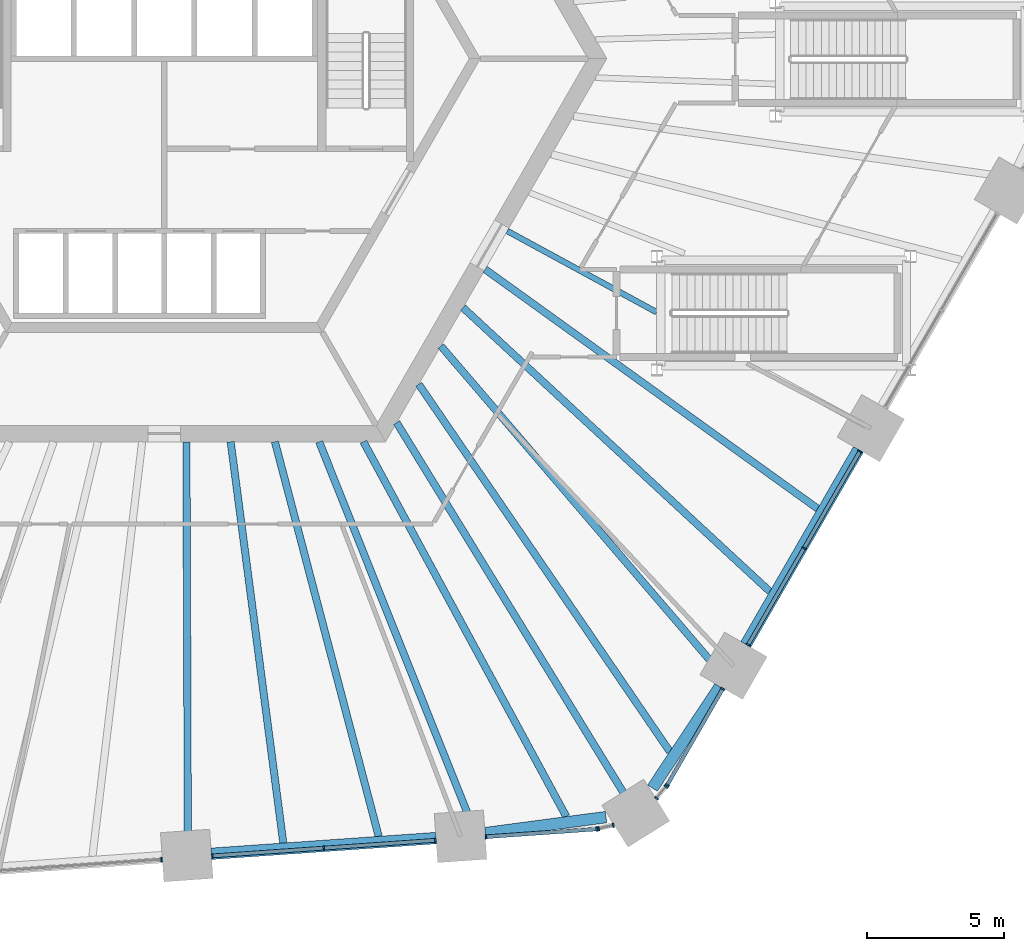
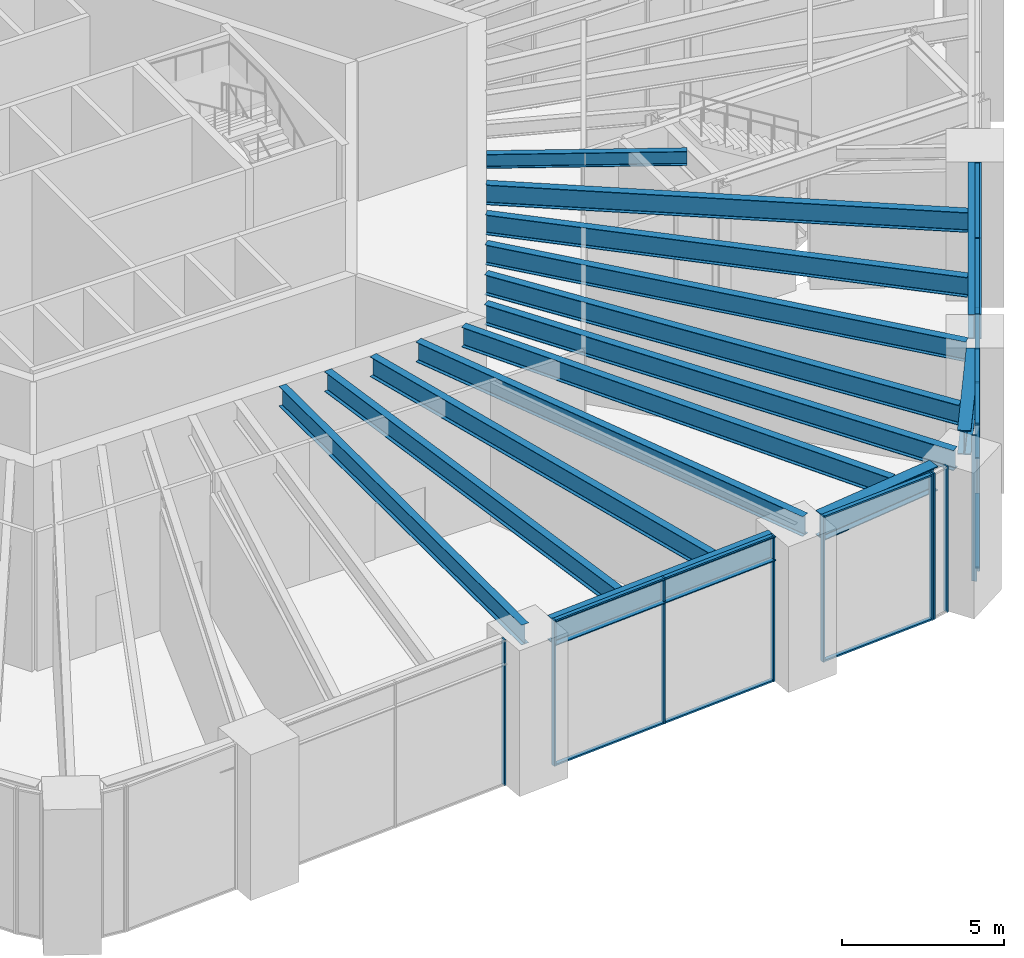
# One storey, part 5 of 30: 27 members, 15 beams, 7 elements without a shape of their own.
"""IFC4 building model written with IfcOpenShell, lengths in metres."""

from ifc_helpers import new_model, si_unit, direction, frame, origin, origin_2d, place, context, subcontext, project, spatial, rectangle, i_section, extrude, material, material_profile, profile_set, type_object, element, aggregate, save


model = new_model("IFC4")

# Units and contexts
model_context = context("Model", 3, precision=1e-05, world=origin(), true_north=direction((0.0, 1.0)))
body_context = subcontext(model_context, "Body", "Model", "MODEL_VIEW")
ifc_project = project(units=[si_unit("LENGTHUNIT", "METRE"), si_unit("AREAUNIT", "SQUARE_METRE"), si_unit("VOLUMEUNIT", "CUBIC_METRE"), si_unit("PLANEANGLEUNIT", "RADIAN"), si_unit("MASSUNIT", "GRAM", prefix="KILO")], contexts=[model_context])

# Site, building, storey
site_placement = place(None, origin())
site = spatial("IfcSite", under=ifc_project, at=site_placement, CompositionType="ELEMENT")
building_placement = place(site_placement, origin())
building = spatial("IfcBuilding", under=site, at=building_placement, Name="Tarnside Tower", CompositionType="ELEMENT")
storey_placement = place(building_placement, frame((0.0, 0.0, 20.5)))
storey = spatial("IfcBuildingStorey", under=building, at=storey_placement, Name="L03", CompositionType="ELEMENT", Elevation=20.5)

# Beams
ifc_material_1 = material(Name="Steel S355", Category="steel")
ifc_material_profile_1 = material_profile(ifc_material_1, i_section(OverallWidth=0.209228515625, OverallDepth=0.533203125, WebThickness=0.010009765625, FlangeThickness=0.015625, FilletRadius=0.0126953125, at=origin_2d()), Name="UB 533x210x92")
ifc_profile_set_1 = profile_set([ifc_material_profile_1], Name="Steel S355")
beam_type_1 = type_object("IfcBeamType", Name="Floor beam UB 533x210x92", PredefinedType="BEAM", material=ifc_profile_set_1)
beam_1_placement = place(storey_placement, frame((17.982421875, -9.26513671875, 4.9833984375), z_axis=(-0.878554552905, 0.477642018221, 0.0), x_axis=(-0.477642018221, -0.878554552905, 0.0)))
element("IfcBeam", 1, at=beam_1_placement, inside=storey, type_object=beam_type_1, Name="Floor beam F5.05b", PredefinedType="BEAM", context=body_context, shape_type="SweptSolid", body=[
    extrude(i_section(OverallWidth=0.209228515625, OverallDepth=0.533203125, WebThickness=0.010009765625, FlangeThickness=0.015625, FilletRadius=0.0126953125, at=origin_2d()), origin(), (0.0, 0.0, 1.0), 6.207763671875),
])
ifc_material_profile_2 = material_profile(ifc_material_1, i_section(OverallWidth=0.26513671875, OverallDepth=0.75390625, WebThickness=0.0126953125, FlangeThickness=0.017578125, FilletRadius=0.0166015625, at=origin_2d()), Name="UB 762x267x147")
ifc_profile_set_2 = profile_set([ifc_material_profile_2], Name="Steel S355")
beam_type_2 = type_object("IfcBeamType", Name="Floor beam UB 762x267x147", PredefinedType="BEAM", material=ifc_profile_set_2)
beam_2_placement = place(storey_placement, frame((0.8623046875, -28.89990234375, 4.873046875), z_axis=(-0.003621146175, 0.999993443629, 0.0), x_axis=(-0.999993443629, -0.003621146175, 0.0)))
element("IfcBeam", 2, at=beam_2_placement, inside=storey, type_object=beam_type_2, Name="Floor beam F4.05", PredefinedType="BEAM", context=body_context, shape_type="SweptSolid", body=[
    extrude(i_section(OverallWidth=0.26513671875, OverallDepth=0.75390625, WebThickness=0.0126953125, FlangeThickness=0.017578125, FilletRadius=0.0166015625, at=origin_2d()), origin(), (0.0, 0.0, 1.0), 14.89990234375),
])
beam_3_placement = place(storey_placement, frame((4.34765625, -28.65625, 4.873046875), z_axis=(-0.130081949033, 0.991503245852, 0.0), x_axis=(-0.991503245852, -0.130081949033, 0.0)))
element("IfcBeam", 3, at=beam_3_placement, inside=storey, type_object=beam_type_2, Name="Floor beam F4.06", PredefinedType="BEAM", context=body_context, shape_type="SweptSolid", body=[
    extrude(i_section(OverallWidth=0.26513671875, OverallDepth=0.75390625, WebThickness=0.0126953125, FlangeThickness=0.017578125, FilletRadius=0.0166015625, at=origin_2d()), origin(), (0.0, 0.0, 1.0), 14.78173828125),
])
beam_4_placement = place(storey_placement, frame((7.83154296875, -28.41259765625, 4.873046875), z_axis=(-0.254320728051, 0.967119934281, 0.0), x_axis=(-0.967119934281, -0.254320728051, 0.0)))
element("IfcBeam", 4, at=beam_4_placement, inside=storey, type_object=beam_type_2, Name="Floor beam F4.07", PredefinedType="BEAM", context=body_context, shape_type="SweptSolid", body=[
    extrude(i_section(OverallWidth=0.26513671875, OverallDepth=0.75390625, WebThickness=0.0126953125, FlangeThickness=0.017578125, FilletRadius=0.0166015625, at=origin_2d()), origin(), (0.0, 0.0, 1.0), 14.902587890625),
])
beam_5_placement = place(storey_placement, frame((11.3017578125, -28.138671875, 4.873046875), z_axis=(-0.370729742981, 0.928740791432, 0.0), x_axis=(-0.928740791432, -0.370729742981, 0.0)))
element("IfcBeam", 5, at=beam_5_placement, inside=storey, type_object=beam_type_2, Name="Floor beam F4.08", PredefinedType="BEAM", context=body_context, shape_type="SweptSolid", body=[
    extrude(i_section(OverallWidth=0.26513671875, OverallDepth=0.75390625, WebThickness=0.0126953125, FlangeThickness=0.017578125, FilletRadius=0.0166015625, at=origin_2d()), origin(), (0.0, 0.0, 1.0), 15.223388671875),
])
beam_6_placement = place(storey_placement, frame((14.684814453125, -27.690673828125, 4.873046875), z_axis=(-0.476003739456, 0.879443255716, 0.0), x_axis=(-0.879443255716, -0.476003739456, 0.0)))
element("IfcBeam", 6, at=beam_6_placement, inside=storey, type_object=beam_type_2, Name="Floor beam F4.09", PredefinedType="BEAM", context=body_context, shape_type="SweptSolid", body=[
    extrude(i_section(OverallWidth=0.26513671875, OverallDepth=0.75390625, WebThickness=0.0126953125, FlangeThickness=0.017578125, FilletRadius=0.0166015625, at=origin_2d()), origin(), (0.0, 0.0, 1.0), 15.5673828125),
])
beam_7_placement = place(storey_placement, frame((20.351806640625, -22.47021484375, 4.873046875), z_axis=(-0.650356182347, 0.759629407068, 0.0), x_axis=(-0.759629407068, -0.650356182347, 0.0)))
element("IfcBeam", 7, at=beam_7_placement, inside=storey, type_object=beam_type_2, Name="Floor beam F5.02", PredefinedType="BEAM", context=body_context, shape_type="SweptSolid", body=[
    extrude(i_section(OverallWidth=0.26513671875, OverallDepth=0.75390625, WebThickness=0.0126953125, FlangeThickness=0.017578125, FilletRadius=0.0166015625, at=origin_2d()), origin(), (0.0, 0.0, 1.0), 15.758056640625),
])
beam_8_placement = place(storey_placement, frame((22.119384765625, -19.467529296875, 4.873046875), z_axis=(-0.734083895409, 0.679058785748, 0.0), x_axis=(-0.679058785748, -0.734083895409, 0.0)))
element("IfcBeam", 8, at=beam_8_placement, inside=storey, type_object=beam_type_2, Name="Floor beam F5.03", PredefinedType="BEAM", context=body_context, shape_type="SweptSolid", body=[
    extrude(i_section(OverallWidth=0.26513671875, OverallDepth=0.75390625, WebThickness=0.0126953125, FlangeThickness=0.017578125, FilletRadius=0.0166015625, at=origin_2d()), origin(), (0.0, 0.0, 1.0), 15.267333984375),
])
beam_9_placement = place(storey_placement, frame((23.86669921875, -16.441162109375, 4.873046875), z_axis=(-0.811669235156, 0.584117327856, 0.0), x_axis=(-0.584117327856, -0.811669235156, 0.0)))
element("IfcBeam", 9, at=beam_9_placement, inside=storey, type_object=beam_type_2, Name="Floor beam F5.04", PredefinedType="BEAM", context=body_context, shape_type="SweptSolid", body=[
    extrude(i_section(OverallWidth=0.26513671875, OverallDepth=0.75390625, WebThickness=0.0126953125, FlangeThickness=0.017578125, FilletRadius=0.0166015625, at=origin_2d()), origin(), (0.0, 0.0, 1.0), 14.96484375),
])
ifc_material_profile_3 = material_profile(ifc_material_1, i_section(OverallWidth=0.2666015625, OverallDepth=0.76220703125, WebThickness=0.014404296875, FlangeThickness=0.021484375, FilletRadius=0.0166015625, at=origin_2d()), Name="UB 762x267x173")
ifc_profile_set_3 = profile_set([ifc_material_profile_3], Name="Steel S355")
beam_type_3 = type_object("IfcBeamType", Name="Floor beam UB 762x267x173", PredefinedType="BEAM", material=ifc_profile_set_3)
beam_10_placement = place(storey_placement, frame((17.107421875, -27.364013671875, 4.868896484375), z_axis=(-0.522584616484, 0.852587425789, 0.0), x_axis=(-0.852587425789, -0.522584616484, 0.0)))
element("IfcBeam", 10, at=beam_10_placement, inside=storey, type_object=beam_type_3, Name="Floor beam C4", PredefinedType="BEAM", context=body_context, shape_type="SweptSolid", body=[
    extrude(i_section(OverallWidth=0.2666015625, OverallDepth=0.76220703125, WebThickness=0.014404296875, FlangeThickness=0.021484375, FilletRadius=0.0166015625, at=origin_2d()), origin(), (0.0, 0.0, 1.0), 16.49560546875),
])
beam_11_placement = place(storey_placement, frame((18.4658203125, -25.314697265625, 4.868896484375), z_axis=(-0.564342929086, 0.825540464418, 0.0), x_axis=(-0.825540464418, -0.564342929086, 0.0)))
element("IfcBeam", 11, at=beam_11_placement, inside=storey, type_object=beam_type_3, Name="Floor beam F5.01", PredefinedType="BEAM", context=body_context, shape_type="SweptSolid", body=[
    extrude(i_section(OverallWidth=0.2666015625, OverallDepth=0.76220703125, WebThickness=0.014404296875, FlangeThickness=0.021484375, FilletRadius=0.0166015625, at=origin_2d()), origin(), (0.0, 0.0, 1.0), 16.249755859375),
])
ifc_material_2 = material(Name="Steel S460", Category="steel")
ifc_material_profile_4 = material_profile(ifc_material_2, i_section(OverallWidth=0.42041015625, OverallDepth=0.9208984375, WebThickness=0.021484375, FlangeThickness=0.03662109375, FilletRadius=0.024169921875, at=origin_2d()), Name="UB 914x419x388")
ifc_profile_set_4 = profile_set([ifc_material_profile_4], Name="Steel S460")
beam_type_4 = type_object("IfcBeamType", Name="Perimeter girder UB 914x419x388", PredefinedType="BEAM", material=ifc_profile_set_4)
beam_12_placement = place(storey_placement, frame((1.719482421875, -29.05078125, 4.78955078125), z_axis=(0.99756353515, 0.069763839764, 0.0), x_axis=(-0.069763839764, 0.99756353515, 0.0)))
element("IfcBeam", 12, at=beam_12_placement, inside=storey, type_object=beam_type_4, Name="Perimeter girder M14", PredefinedType="BEAM", context=body_context, shape_type="SweptSolid", body=[
    extrude(i_section(OverallWidth=0.42041015625, OverallDepth=0.9208984375, WebThickness=0.021484375, FlangeThickness=0.03662109375, FilletRadius=0.024169921875, at=origin_2d()), origin(), (0.0, 0.0, 1.0), 8.223876953125),
])
for number, where, z_axis, x_axis, name in (
    (13, (11.733154296875, -28.293701171875, 4.78955078125), (0.991349927248, 0.13124527323, 0.0), (-0.13124527323, 0.991349927248, 0.0), "Perimeter girder M15"),
    (14, (17.833251953125, -26.649658203125, 4.78955078125), (0.55252857913, 0.833493952734, 0.0), (-0.833493952734, 0.55252857913, 0.0), "Perimeter girder M16"),
):
    element("IfcBeam", number, at=place(storey_placement, frame(where, z_axis=z_axis, x_axis=x_axis)), inside=storey, type_object=beam_type_4, Name=name, PredefinedType="BEAM", context=body_context, shape_type="SweptSolid", body=[
        extrude(i_section(OverallWidth=0.42041015625, OverallDepth=0.9208984375, WebThickness=0.021484375, FlangeThickness=0.03662109375, FilletRadius=0.024169921875, at=origin_2d()), origin(), (0.0, 0.0, 1.0), 4.440185546875),
    ])
beam_13_placement = place(storey_placement, frame((21.2451171875, -21.402587890625, 4.78955078125), z_axis=(0.499989712218, 0.866031343357, 0.0), x_axis=(-0.866031343357, 0.499989712218, 0.0)))
element("IfcBeam", 15, at=beam_13_placement, inside=storey, type_object=beam_type_4, Name="Perimeter girder M17", PredefinedType="BEAM", context=body_context, shape_type="SweptSolid", body=[
    extrude(i_section(OverallWidth=0.42041015625, OverallDepth=0.9208984375, WebThickness=0.021484375, FlangeThickness=0.03662109375, FilletRadius=0.024169921875, at=origin_2d()), origin(), (0.0, 0.0, 1.0), 8.223876953125),
])

# Curtain wall, member
ifc_material_3 = material(Name="Retail shopfront glazing wall", Category="glass")
curtain_wall_type = type_object("IfcCurtainWallType", Name="Retail shopfront glazing wall", PredefinedType="NOTDEFINED", material=ifc_material_3)
curtain_wall_1_placement = place(storey_placement, origin())
curtain_wall_1 = element("IfcCurtainWall", 16, at=curtain_wall_1_placement, inside=storey, type_object=curtain_wall_type, Name="Retail shopfront glazing L03 12.0", PredefinedType="NOTDEFINED")
ifc_material_4 = material(Name="Aluminium alloy 6063", Category="aluminium")
ifc_material_profile_5 = material_profile(ifc_material_4, rectangle(XDim=0.159912109375, YDim=0.06005859375, at=origin_2d()), Name="Retail shopfront glazing mullion 60 x 160")
ifc_profile_set_5 = profile_set([ifc_material_profile_5], Name="Aluminium alloy 6063")
member_type_1 = type_object("IfcMemberType", Name="Retail shopfront glazing mullion 60 x 160", PredefinedType="MULLION", material=ifc_profile_set_5)
member_1_placement = place(storey_placement, frame((-0.100341796875, -29.25830078125, -0.25), z_axis=(0.0, 0.0, 1.0), x_axis=(-0.069756473779, 0.997564050257, 0.0)))
member_1 = element("IfcMember", 17, at=member_1_placement, type_object=member_type_1, Name="CW2 mullion 3", PredefinedType="MULLION", context=body_context, shape_type="SweptSolid", body=[
    extrude(rectangle(XDim=0.159912109375, YDim=0.06005859375, at=origin_2d()), origin(), (0.0, 0.0, 1.0), 5.5),
])
aggregate(curtain_wall_1, [member_1])

# Curtain wall, members
curtain_wall_2_placement = place(storey_placement, origin())
curtain_wall_2 = element("IfcCurtainWall", 18, at=curtain_wall_2_placement, inside=storey, type_object=curtain_wall_type, Name="Retail shopfront glazing L03 13.0", PredefinedType="NOTDEFINED")
member_2_placement = place(storey_placement, frame((1.755126953125, -29.12841796875, -0.25), z_axis=(0.0, 0.0, 1.0), x_axis=(-0.069756473779, 0.997564050257, 0.0)))
member_2 = element("IfcMember", 19, at=member_2_placement, type_object=member_type_1, Name="CW2 mullion 1", PredefinedType="MULLION", context=body_context, shape_type="SweptSolid", body=[
    extrude(rectangle(XDim=0.159912109375, YDim=0.06005859375, at=origin_2d()), origin(), (0.0, 0.0, 1.0), 5.5),
])
member_3_placement = place(storey_placement, frame((5.826904296875, -28.84375, -0.25), z_axis=(0.0, 0.0, 1.0), x_axis=(-0.069756473779, 0.997564050257, 0.0)))
member_3 = element("IfcMember", 20, at=member_3_placement, type_object=member_type_1, Name="CW2 mullion 2", PredefinedType="MULLION", context=body_context, shape_type="SweptSolid", body=[
    extrude(rectangle(XDim=0.159912109375, YDim=0.06005859375, at=origin_2d()), origin(), (0.0, 0.0, 1.0), 5.5),
])
member_4_placement = place(storey_placement, frame((9.89892578125, -28.55908203125, -0.25), z_axis=(0.0, 0.0, 1.0), x_axis=(-0.069756473779, 0.997564050257, 0.0)))
member_4 = element("IfcMember", 21, at=member_4_placement, type_object=member_type_1, Name="CW2 mullion 3", PredefinedType="MULLION", context=body_context, shape_type="SweptSolid", body=[
    extrude(rectangle(XDim=0.159912109375, YDim=0.06005859375, at=origin_2d()), origin(), (0.0, 0.0, 1.0), 5.5),
])

curtain_wall_3_placement = place(storey_placement, origin())
curtain_wall_3 = element("IfcCurtainWall", 22, at=curtain_wall_3_placement, inside=storey, type_object=curtain_wall_type, Name="Retail shopfront glazing L03 14.0", PredefinedType="NOTDEFINED")
member_5_placement = place(storey_placement, frame((11.75439453125, -28.42919921875, -0.25), z_axis=(0.0, 0.0, 1.0), x_axis=(-0.069756473918, 0.997564050248, 0.0)))
member_5 = element("IfcMember", 23, at=member_5_placement, type_object=member_type_1, Name="CW2 mullion 1", PredefinedType="MULLION", context=body_context, shape_type="SweptSolid", body=[
    extrude(rectangle(XDim=0.159912109375, YDim=0.06005859375, at=origin_2d()), origin(), (0.0, 0.0, 1.0), 5.5),
])
member_6_placement = place(storey_placement, frame((15.79638671875, -28.146728515625, -0.25), z_axis=(0.0, 0.0, 1.0), x_axis=(-0.069756473918, 0.997564050248, 0.0)))
member_6 = element("IfcMember", 24, at=member_6_placement, type_object=member_type_1, Name="CW2 mullion 2", PredefinedType="MULLION", context=body_context, shape_type="SweptSolid", body=[
    extrude(rectangle(XDim=0.159912109375, YDim=0.06005859375, at=origin_2d()), origin(), (0.0, 0.0, 1.0), 5.5),
])

curtain_wall_4_placement = place(storey_placement, origin())
curtain_wall_4 = element("IfcCurtainWall", 25, at=curtain_wall_4_placement, inside=storey, type_object=curtain_wall_type, Name="Retail shopfront glazing L03 14.1", PredefinedType="NOTDEFINED")
member_7_placement = place(storey_placement, frame((15.868408203125, -28.1357421875, -0.25), z_axis=(0.0, 0.0, 1.0), x_axis=(-0.230615871127, 0.973044870489, 0.0)))
member_7 = element("IfcMember", 26, at=member_7_placement, type_object=member_type_1, Name="CW2 mullion 1", PredefinedType="MULLION", context=body_context, shape_type="SweptSolid", body=[
    extrude(rectangle(XDim=0.159912109375, YDim=0.06005859375, at=origin_2d()), origin(), (0.0, 0.0, 1.0), 5.5),
])
member_8_placement = place(storey_placement, frame((16.40185546875, -28.00927734375, -0.25), z_axis=(0.0, 0.0, 1.0), x_axis=(-0.230615871127, 0.973044870489, 0.0)))
member_8 = element("IfcMember", 27, at=member_8_placement, type_object=member_type_1, Name="CW2 mullion 2", PredefinedType="MULLION", context=body_context, shape_type="SweptSolid", body=[
    extrude(rectangle(XDim=0.159912109375, YDim=0.06005859375, at=origin_2d()), origin(), (0.0, 0.0, 1.0), 5.5),
])
aggregate(curtain_wall_4, [member_7, member_8])

curtain_wall_5_placement = place(storey_placement, origin())
curtain_wall_5 = element("IfcCurtainWall", 28, at=curtain_wall_5_placement, inside=storey, type_object=curtain_wall_type, Name="Retail shopfront glazing L03 15.0", PredefinedType="NOTDEFINED")
member_9_placement = place(storey_placement, frame((17.984375, -27.020263671875, -0.25), z_axis=(0.0, 0.0, 1.0), x_axis=(-0.77347159307, 0.633830966989, 0.0)))
member_9 = element("IfcMember", 29, at=member_9_placement, type_object=member_type_1, Name="CW2 mullion 1", PredefinedType="MULLION", context=body_context, shape_type="SweptSolid", body=[
    extrude(rectangle(XDim=0.159912109375, YDim=0.06005859375, at=origin_2d()), origin(), (0.0, 0.0, 1.0), 5.5),
])
member_10_placement = place(storey_placement, frame((18.33203125, -26.59619140625, -0.25), z_axis=(0.0, 0.0, 1.0), x_axis=(-0.77347159307, 0.633830966989, 0.0)))
member_10 = element("IfcMember", 30, at=member_10_placement, type_object=member_type_1, Name="CW2 mullion 2", PredefinedType="MULLION", context=body_context, shape_type="SweptSolid", body=[
    extrude(rectangle(XDim=0.159912109375, YDim=0.06005859375, at=origin_2d()), origin(), (0.0, 0.0, 1.0), 5.5),
])
aggregate(curtain_wall_5, [member_9, member_10])

curtain_wall_6_placement = place(storey_placement, origin())
curtain_wall_6 = element("IfcCurtainWall", 31, at=curtain_wall_6_placement, inside=storey, type_object=curtain_wall_type, Name="Retail shopfront glazing L03 15.1", PredefinedType="NOTDEFINED")
member_11_placement = place(storey_placement, frame((18.373291015625, -26.536376953125, -0.25), z_axis=(0.0, 0.0, 1.0), x_axis=(-0.866025403767, 0.50000000003, 0.0)))
member_11 = element("IfcMember", 32, at=member_11_placement, type_object=member_type_1, Name="CW2 mullion 1", PredefinedType="MULLION", context=body_context, shape_type="SweptSolid", body=[
    extrude(rectangle(XDim=0.159912109375, YDim=0.06005859375, at=origin_2d()), origin(), (0.0, 0.0, 1.0), 5.5),
])
member_12_placement = place(storey_placement, frame((20.3994140625, -23.02734375, -0.25), z_axis=(0.0, 0.0, 1.0), x_axis=(-0.866025403767, 0.50000000003, 0.0)))
member_12 = element("IfcMember", 33, at=member_12_placement, type_object=member_type_1, Name="CW2 mullion 2", PredefinedType="MULLION", context=body_context, shape_type="SweptSolid", body=[
    extrude(rectangle(XDim=0.159912109375, YDim=0.06005859375, at=origin_2d()), origin(), (0.0, 0.0, 1.0), 5.5),
])

curtain_wall_7_placement = place(storey_placement, origin())
curtain_wall_7 = element("IfcCurtainWall", 34, at=curtain_wall_7_placement, inside=storey, type_object=curtain_wall_type, Name="Retail shopfront glazing L03 16.0", PredefinedType="NOTDEFINED")
member_13_placement = place(storey_placement, frame((21.329345703125, -21.41650390625, -0.25), z_axis=(0.0, 0.0, 1.0), x_axis=(-0.866025403819, 0.49999999994, 0.0)))
member_13 = element("IfcMember", 35, at=member_13_placement, type_object=member_type_1, Name="CW2 mullion 1", PredefinedType="MULLION", context=body_context, shape_type="SweptSolid", body=[
    extrude(rectangle(XDim=0.159912109375, YDim=0.06005859375, at=origin_2d()), origin(), (0.0, 0.0, 1.0), 5.5),
])
member_14_placement = place(storey_placement, frame((23.370361328125, -17.881591796875, -0.25), z_axis=(0.0, 0.0, 1.0), x_axis=(-0.866025403819, 0.49999999994, 0.0)))
member_14 = element("IfcMember", 36, at=member_14_placement, type_object=member_type_1, Name="CW2 mullion 2", PredefinedType="MULLION", context=body_context, shape_type="SweptSolid", body=[
    extrude(rectangle(XDim=0.159912109375, YDim=0.06005859375, at=origin_2d()), origin(), (0.0, 0.0, 1.0), 5.5),
])
member_15_placement = place(storey_placement, frame((25.4111328125, -14.3466796875, -0.25), z_axis=(0.0, 0.0, 1.0), x_axis=(-0.866025403819, 0.49999999994, 0.0)))
member_15 = element("IfcMember", 37, at=member_15_placement, type_object=member_type_1, Name="CW2 mullion 3", PredefinedType="MULLION", context=body_context, shape_type="SweptSolid", body=[
    extrude(rectangle(XDim=0.159912109375, YDim=0.06005859375, at=origin_2d()), origin(), (0.0, 0.0, 1.0), 5.5),
])

# Member
ifc_material_profile_6 = material_profile(ifc_material_4, rectangle(XDim=0.139892578125, YDim=0.06005859375, at=origin_2d()), Name="Retail shopfront glazing transom 60 x 140")
ifc_profile_set_6 = profile_set([ifc_material_profile_6], Name="Aluminium alloy 6063")
member_type_2 = type_object("IfcMemberType", Name="Retail shopfront glazing transom 60 x 140", PredefinedType="USERDEFINED", material=ifc_profile_set_6)
member_16_placement = place(storey_placement, frame((1.784912109375, -29.12646484375, -0.219970703125), z_axis=(0.99756479881, 0.069745768153, 0.0), x_axis=(-0.069745768153, 0.99756479881, 0.0)))
member_16 = element("IfcMember", 38, at=member_16_placement, type_object=member_type_2, Name="CW2 transom 1.1", ObjectType="TRANSOM", PredefinedType="USERDEFINED", context=body_context, shape_type="SweptSolid", body=[
    extrude(rectangle(XDim=0.139892578125, YDim=0.06005859375, at=origin_2d()), origin(), (0.0, 0.0, 1.0), 4.02197265625),
])

member_17_placement = place(storey_placement, frame((1.784912109375, -29.12646484375, 5.219970703125), z_axis=(0.99756479881, 0.069745768153, 0.0), x_axis=(-0.069745768153, 0.99756479881, 0.0)))
member_17 = element("IfcMember", 39, at=member_17_placement, type_object=member_type_2, Name="CW2 transom 1.2", ObjectType="TRANSOM", PredefinedType="USERDEFINED", context=body_context, shape_type="SweptSolid", body=[
    extrude(rectangle(XDim=0.139892578125, YDim=0.06005859375, at=origin_2d()), origin(), (0.0, 0.0, 1.0), 4.02197265625),
])

member_18_placement = place(storey_placement, frame((5.85693359375, -28.841796875, -0.219970703125), z_axis=(0.997560277835, 0.069810400992, 0.0), x_axis=(-0.069810400992, 0.997560277835, 0.0)))
member_18 = element("IfcMember", 40, at=member_18_placement, type_object=member_type_2, Name="CW2 transom 2.1", ObjectType="TRANSOM", PredefinedType="USERDEFINED", context=body_context, shape_type="SweptSolid", body=[
    extrude(rectangle(XDim=0.139892578125, YDim=0.06005859375, at=origin_2d()), origin(), (0.0, 0.0, 1.0), 4.021728515625),
])

member_19_placement = place(storey_placement, frame((5.85693359375, -28.841796875, 5.219970703125), z_axis=(0.997560277835, 0.069810400992, 0.0), x_axis=(-0.069810400992, 0.997560277835, 0.0)))
member_19 = element("IfcMember", 41, at=member_19_placement, type_object=member_type_2, Name="CW2 transom 2.2", ObjectType="TRANSOM", PredefinedType="USERDEFINED", context=body_context, shape_type="SweptSolid", body=[
    extrude(rectangle(XDim=0.139892578125, YDim=0.06005859375, at=origin_2d()), origin(), (0.0, 0.0, 1.0), 4.021728515625),
])

aggregate(curtain_wall_2, [member_2, member_3, member_4, member_16, member_17, member_18, member_19])

member_20_placement = place(storey_placement, frame((11.7841796875, -28.42724609375, -0.219970703125), z_axis=(0.99756224643, 0.069782264924, 0.0), x_axis=(-0.069782264924, 0.99756224643, 0.0)))
member_20 = element("IfcMember", 42, at=member_20_placement, type_object=member_type_2, Name="CW2 transom 1.1", ObjectType="TRANSOM", PredefinedType="USERDEFINED", context=body_context, shape_type="SweptSolid", body=[
    extrude(rectangle(XDim=0.139892578125, YDim=0.06005859375, at=origin_2d()), origin(), (0.0, 0.0, 1.0), 3.991943359375),
])

member_21_placement = place(storey_placement, frame((11.7841796875, -28.42724609375, 5.219970703125), z_axis=(0.99756224643, 0.069782264924, 0.0), x_axis=(-0.069782264924, 0.99756224643, 0.0)))
member_21 = element("IfcMember", 43, at=member_21_placement, type_object=member_type_2, Name="CW2 transom 1.2", ObjectType="TRANSOM", PredefinedType="USERDEFINED", context=body_context, shape_type="SweptSolid", body=[
    extrude(rectangle(XDim=0.139892578125, YDim=0.06005859375, at=origin_2d()), origin(), (0.0, 0.0, 1.0), 3.991943359375),
])

aggregate(curtain_wall_3, [member_5, member_6, member_20, member_21])

member_22_placement = place(storey_placement, frame((18.388427734375, -26.51025390625, -0.219970703125), z_axis=(0.499987164874, 0.866032814021, 0.0), x_axis=(-0.866032814021, 0.499987164874, 0.0)))
member_22 = element("IfcMember", 44, at=member_22_placement, type_object=member_type_2, Name="CW2 transom 1.1", ObjectType="TRANSOM", PredefinedType="USERDEFINED", context=body_context, shape_type="SweptSolid", body=[
    extrude(rectangle(XDim=0.139892578125, YDim=0.06005859375, at=origin_2d()), origin(), (0.0, 0.0, 1.0), 3.99169921875),
])

member_23_placement = place(storey_placement, frame((18.388427734375, -26.51025390625, 5.219970703125), z_axis=(0.499987164874, 0.866032814021, 0.0), x_axis=(-0.866032814021, 0.499987164874, 0.0)))
member_23 = element("IfcMember", 45, at=member_23_placement, type_object=member_type_2, Name="CW2 transom 1.2", ObjectType="TRANSOM", PredefinedType="USERDEFINED", context=body_context, shape_type="SweptSolid", body=[
    extrude(rectangle(XDim=0.139892578125, YDim=0.06005859375, at=origin_2d()), origin(), (0.0, 0.0, 1.0), 3.99169921875),
])

aggregate(curtain_wall_6, [member_11, member_12, member_22, member_23])

member_24_placement = place(storey_placement, frame((21.34423828125, -21.390625, -0.219970703125), z_axis=(0.499997437312, 0.866026883348, 0.0), x_axis=(-0.866026883348, 0.499997437312, 0.0)))
member_24 = element("IfcMember", 46, at=member_24_placement, type_object=member_type_2, Name="CW2 transom 1.1", ObjectType="TRANSOM", PredefinedType="USERDEFINED", context=body_context, shape_type="SweptSolid", body=[
    extrude(rectangle(XDim=0.139892578125, YDim=0.06005859375, at=origin_2d()), origin(), (0.0, 0.0, 1.0), 4.02197265625),
])

member_25_placement = place(storey_placement, frame((21.34423828125, -21.390625, 5.219970703125), z_axis=(0.499997437312, 0.866026883348, 0.0), x_axis=(-0.866026883348, 0.499997437312, 0.0)))
member_25 = element("IfcMember", 47, at=member_25_placement, type_object=member_type_2, Name="CW2 transom 1.2", ObjectType="TRANSOM", PredefinedType="USERDEFINED", context=body_context, shape_type="SweptSolid", body=[
    extrude(rectangle(XDim=0.139892578125, YDim=0.06005859375, at=origin_2d()), origin(), (0.0, 0.0, 1.0), 4.02197265625),
])

member_26_placement = place(storey_placement, frame((23.38525390625, -17.85546875, -0.219970703125), z_axis=(0.500023722852, 0.866011706956, 0.0), x_axis=(-0.866011706956, 0.500023722852, 0.0)))
member_26 = element("IfcMember", 48, at=member_26_placement, type_object=member_type_2, Name="CW2 transom 2.1", ObjectType="TRANSOM", PredefinedType="USERDEFINED", context=body_context, shape_type="SweptSolid", body=[
    extrude(rectangle(XDim=0.139892578125, YDim=0.06005859375, at=origin_2d()), origin(), (0.0, 0.0, 1.0), 4.021728515625),
])

member_27_placement = place(storey_placement, frame((23.38525390625, -17.85546875, 5.219970703125), z_axis=(0.500023722852, 0.866011706956, 0.0), x_axis=(-0.866011706956, 0.500023722852, 0.0)))
member_27 = element("IfcMember", 49, at=member_27_placement, type_object=member_type_2, Name="CW2 transom 2.2", ObjectType="TRANSOM", PredefinedType="USERDEFINED", context=body_context, shape_type="SweptSolid", body=[
    extrude(rectangle(XDim=0.139892578125, YDim=0.06005859375, at=origin_2d()), origin(), (0.0, 0.0, 1.0), 4.021728515625),
])

aggregate(curtain_wall_7, [member_13, member_14, member_15, member_24, member_25, member_26, member_27])

save(model, "model.ifc")
